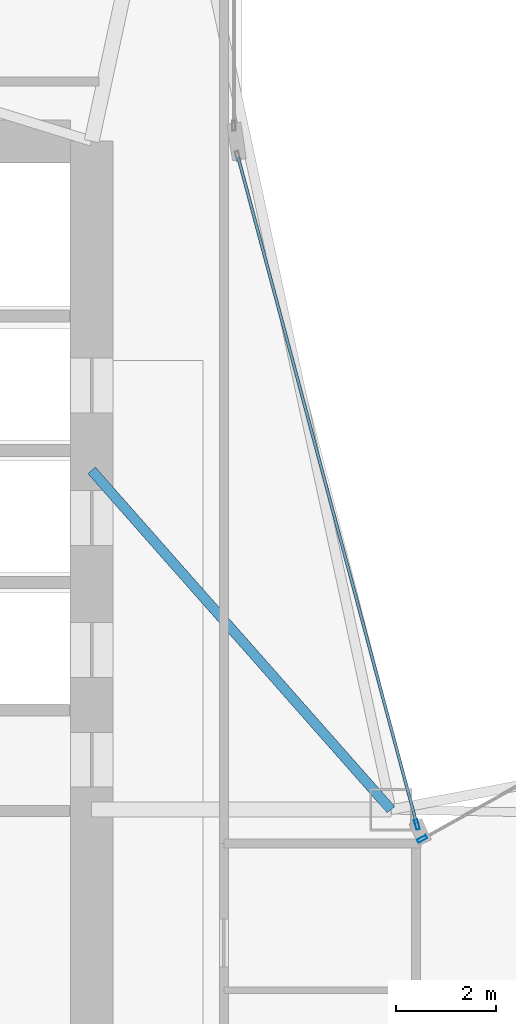
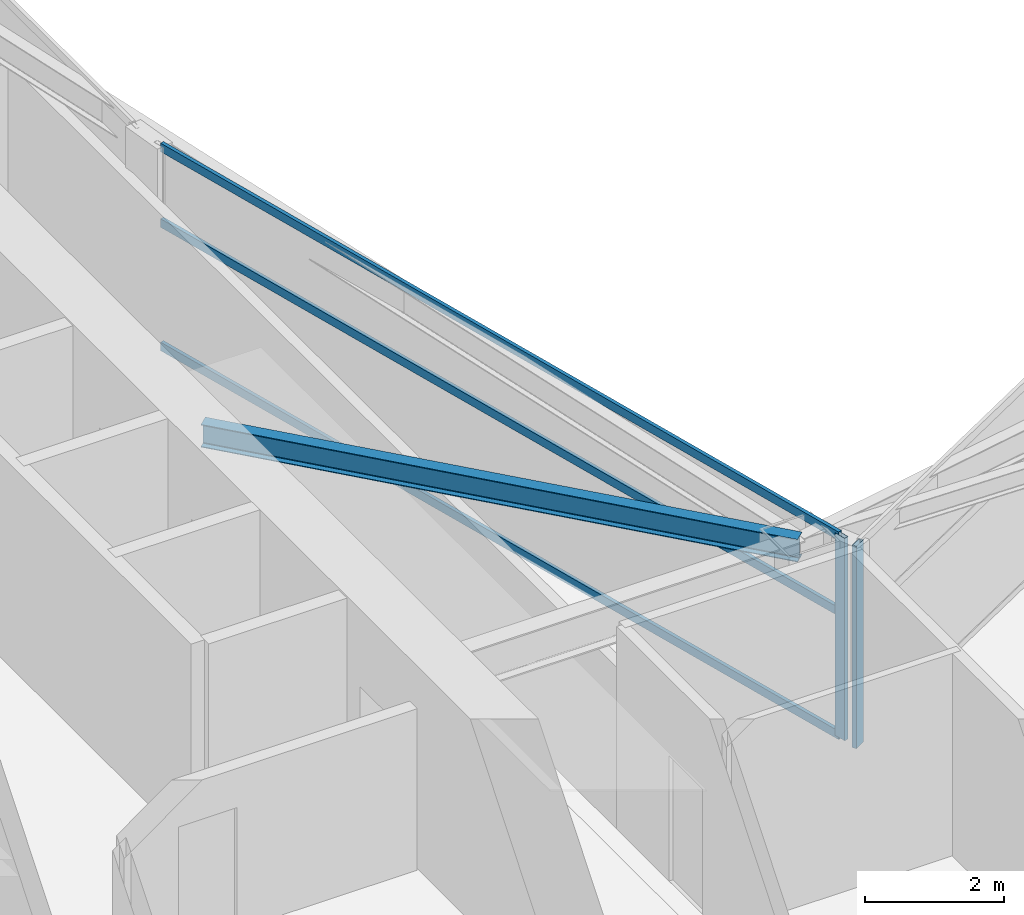
# One storey, part 10 of 28: 5 members, 1 beam, 2 elements without a shape of their own.
"""IFC4 building model written with IfcOpenShell, lengths in metres."""

from ifc_helpers import new_model, si_unit, direction, frame, origin, origin_2d, place, context, subcontext, project, spatial, hollow_rectangle, i_section, extrude, material, layer, layer_set, material_profile, profile_set, type_object, element, aggregate, save


model = new_model("IFC4")

# Units and contexts
model_context = context("Model", 3, precision=1e-05, world=origin(), true_north=direction((0.0, 1.0)))
body_context = subcontext(model_context, "Body", "Model", "MODEL_VIEW")
ifc_project = project(units=[si_unit("LENGTHUNIT", "METRE"), si_unit("AREAUNIT", "SQUARE_METRE"), si_unit("VOLUMEUNIT", "CUBIC_METRE"), si_unit("PLANEANGLEUNIT", "RADIAN"), si_unit("MASSUNIT", "GRAM", prefix="KILO")], contexts=[model_context])

# Site, building, storey
site_placement = place(None, origin())
site = spatial("IfcSite", under=ifc_project, at=site_placement, CompositionType="ELEMENT")
building_placement = place(site_placement, origin())
building = spatial("IfcBuilding", under=site, at=building_placement, Name="Calvorn Quay Hotel", CompositionType="ELEMENT")
storey_placement = place(building_placement, frame((0.0, 0.0, 116.39990234375)))
storey = spatial("IfcBuildingStorey", under=building, at=storey_placement, Name="L28", CompositionType="ELEMENT", Elevation=116.39990234375)

# Beam
ifc_material_1 = material(Name="Steel Q355B", Category="steel")
ifc_material_profile_1 = material_profile(ifc_material_1, i_section(OverallWidth=0.199951171875, OverallDepth=0.39990234375, WebThickness=0.008056640625, FlangeThickness=0.012939453125, FilletRadius=0.01611328125, at=origin_2d()), Name="HN400x200x8x13")
ifc_profile_set_1 = profile_set([ifc_material_profile_1], Name="Steel Q355B")
beam_type = type_object("IfcBeamType", Name="BM-JOIST-TYP", PredefinedType="JOIST", material=ifc_profile_set_1)
beam_placement = place(storey_placement, frame((15.0, 31.800048828125, 3.340087890625), z_axis=(0.661618965899, -0.749840212287, 0.0), x_axis=(0.749840212287, 0.661618965899, 0.0)))
element("IfcBeam", 1, at=beam_placement, inside=storey, type_object=beam_type, Name="Beam BJ-L28-C1", PredefinedType="JOIST", context=body_context, shape_type="SweptSolid", body=[
    extrude(i_section(OverallWidth=0.199951171875, OverallDepth=0.39990234375, WebThickness=0.008056640625, FlangeThickness=0.012939453125, FilletRadius=0.01611328125, at=origin_2d()), origin(), (0.0, 0.0, 1.0), 9.068603515625),
])

# Curtain wall, member
ifc_material_2 = material(Name="Pale Anodised Aluminium and Low-E Glass", Category="aluminium")
ifc_layer = layer(ifc_material_2, 0.219970703125)
ifc_layer_set = layer_set([ifc_layer], Name="CW-SYS-Z2")
curtain_wall_type = type_object("IfcCurtainWallType", Name="CW-SYS-Z2", PredefinedType="NOTDEFINED", material=ifc_layer_set)
curtain_wall_1_placement = place(storey_placement, origin())
curtain_wall_1 = element("IfcCurtainWall", 2, at=curtain_wall_1_placement, inside=storey, type_object=curtain_wall_type, Name="Inner Court Curtain Wall L28-NE1", PredefinedType="NOTDEFINED")
ifc_material_3 = material(Name="Pale Anodised Aluminium 6063-T6", Category="aluminium")
ifc_material_profile_2 = material_profile(ifc_material_3, hollow_rectangle(XDim=0.070068359375, YDim=0.199951171875, WallThickness=0.00390625, at=origin_2d()), Name="ALU-M200x70x4")
ifc_profile_set_2 = profile_set([ifc_material_profile_2], Name="Pale Anodised Aluminium 6063-T6")
member_type_1 = type_object("IfcMemberType", Name="CW-SYS-Z2-MUL", PredefinedType="MULLION", material=ifc_profile_set_2)
member_1_placement = place(storey_placement, frame((21.626220703125, 24.41455078125, 0.0), z_axis=(0.0, 0.0, 1.0), x_axis=(0.486858256224, -0.873480989116, 0.0)))
member_1 = element("IfcMember", 3, at=member_1_placement, type_object=member_type_1, Name="CW-L28-NE1 mullion 4", PredefinedType="MULLION", context=body_context, shape_type="SweptSolid", body=[
    extrude(hollow_rectangle(XDim=0.070068359375, YDim=0.199951171875, WallThickness=0.00390625, at=origin_2d()), origin(), (0.0, 0.0, 1.0), 3.56005859375),
])
aggregate(curtain_wall_1, [member_1])

# Curtain wall, members
curtain_wall_2_placement = place(storey_placement, origin())
curtain_wall_2 = element("IfcCurtainWall", 4, at=curtain_wall_2_placement, inside=storey, type_object=curtain_wall_type, Name="Inner Court Curtain Wall L28-IC1", PredefinedType="NOTDEFINED")
member_2_placement = place(storey_placement, frame((21.520263671875, 24.698974609375, 0.0), z_axis=(0.0, 0.0, 1.0), x_axis=(-0.96593652056, -0.25877913024, 0.0)))
member_2 = element("IfcMember", 5, at=member_2_placement, type_object=member_type_1, Name="CW-L28-IC1 mullion 1", PredefinedType="MULLION", context=body_context, shape_type="SweptSolid", body=[
    extrude(hollow_rectangle(XDim=0.070068359375, YDim=0.199951171875, WallThickness=0.00390625, at=origin_2d()), origin(), (0.0, 0.0, 1.0), 3.56005859375),
])
ifc_material_4 = material(Name="Pale Anodised Aluminium 6063-T6", Category="aluminium")
ifc_material_profile_3 = material_profile(ifc_material_4, hollow_rectangle(XDim=0.06005859375, YDim=0.14990234375, WallThickness=0.00341796875, at=origin_2d()), Name="ALU-T150x60x3.5")
ifc_profile_set_3 = profile_set([ifc_material_profile_3], Name="Pale Anodised Aluminium 6063-T6")
member_type_2 = type_object("IfcMemberType", Name="CW-SYS-Z2-TRN", PredefinedType="USERDEFINED", material=ifc_profile_set_3)
member_3_placement = place(storey_placement, frame((21.512451171875, 24.72802734375, 0.030029296875), z_axis=(-0.258781136883, 0.965935982969, 0.0), x_axis=(-0.965935982969, -0.258781136883, 0.0)))
member_3 = element("IfcMember", 6, at=member_3_placement, type_object=member_type_2, Name="CW-L28-IC1 transom 1.1", ObjectType="TRANSOM", PredefinedType="USERDEFINED", context=body_context, shape_type="SweptSolid", body=[
    extrude(hollow_rectangle(XDim=0.06005859375, YDim=0.14990234375, WallThickness=0.00341796875, at=origin_2d()), origin(), (0.0, 0.0, 1.0), 13.814453125),
])
member_4_placement = place(storey_placement, frame((21.512451171875, 24.72802734375, 2.2001953125), z_axis=(-0.258781136883, 0.965935982969, 0.0), x_axis=(-0.965935982969, -0.258781136883, 0.0)))
member_4 = element("IfcMember", 7, at=member_4_placement, type_object=member_type_2, Name="CW-L28-IC1 transom 1.2", ObjectType="TRANSOM", PredefinedType="USERDEFINED", context=body_context, shape_type="SweptSolid", body=[
    extrude(hollow_rectangle(XDim=0.06005859375, YDim=0.14990234375, WallThickness=0.00341796875, at=origin_2d()), origin(), (0.0, 0.0, 1.0), 13.814453125),
])
member_5_placement = place(storey_placement, frame((21.512451171875, 24.72802734375, 3.530029296875), z_axis=(-0.258781136883, 0.965935982969, 0.0), x_axis=(-0.965935982969, -0.258781136883, 0.0)))
member_5 = element("IfcMember", 8, at=member_5_placement, type_object=member_type_2, Name="CW-L28-IC1 transom 1.3", ObjectType="TRANSOM", PredefinedType="USERDEFINED", context=body_context, shape_type="SweptSolid", body=[
    extrude(hollow_rectangle(XDim=0.06005859375, YDim=0.14990234375, WallThickness=0.00341796875, at=origin_2d()), origin(), (0.0, 0.0, 1.0), 13.814453125),
])
aggregate(curtain_wall_2, [member_2, member_3, member_4, member_5])

save(model, "model.ifc")
